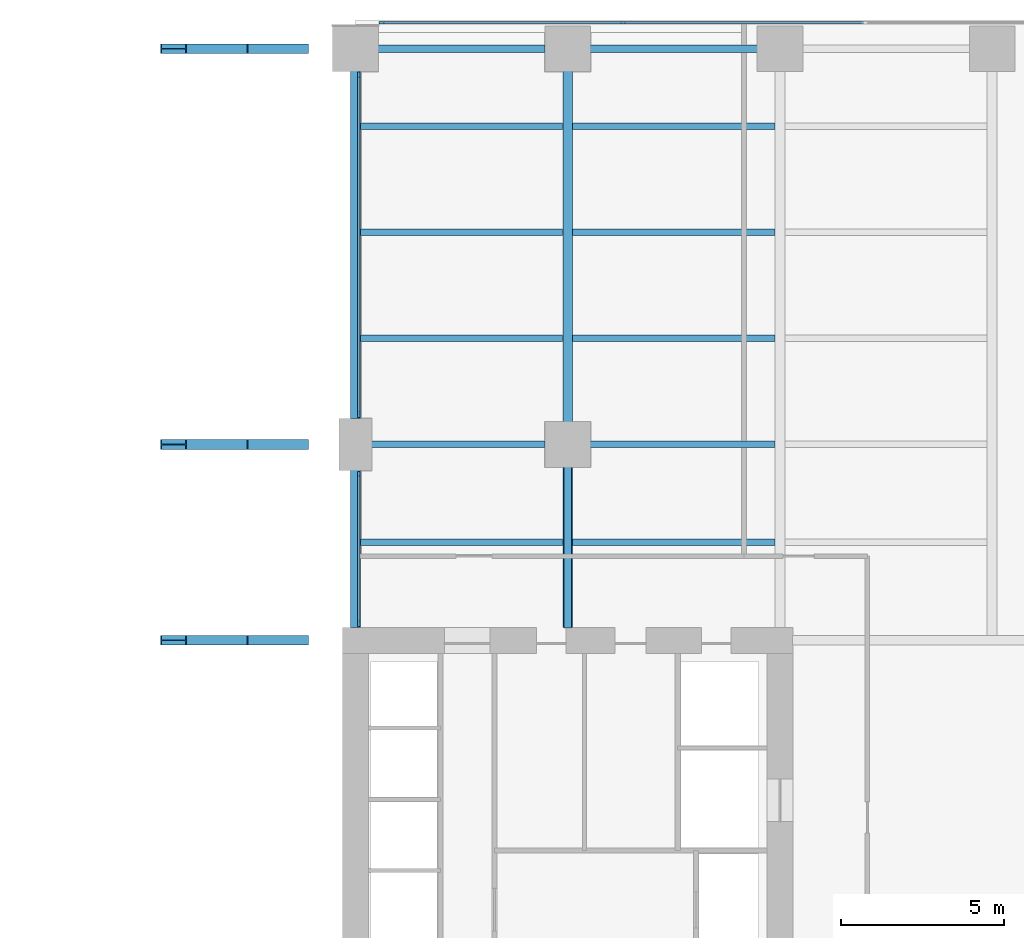
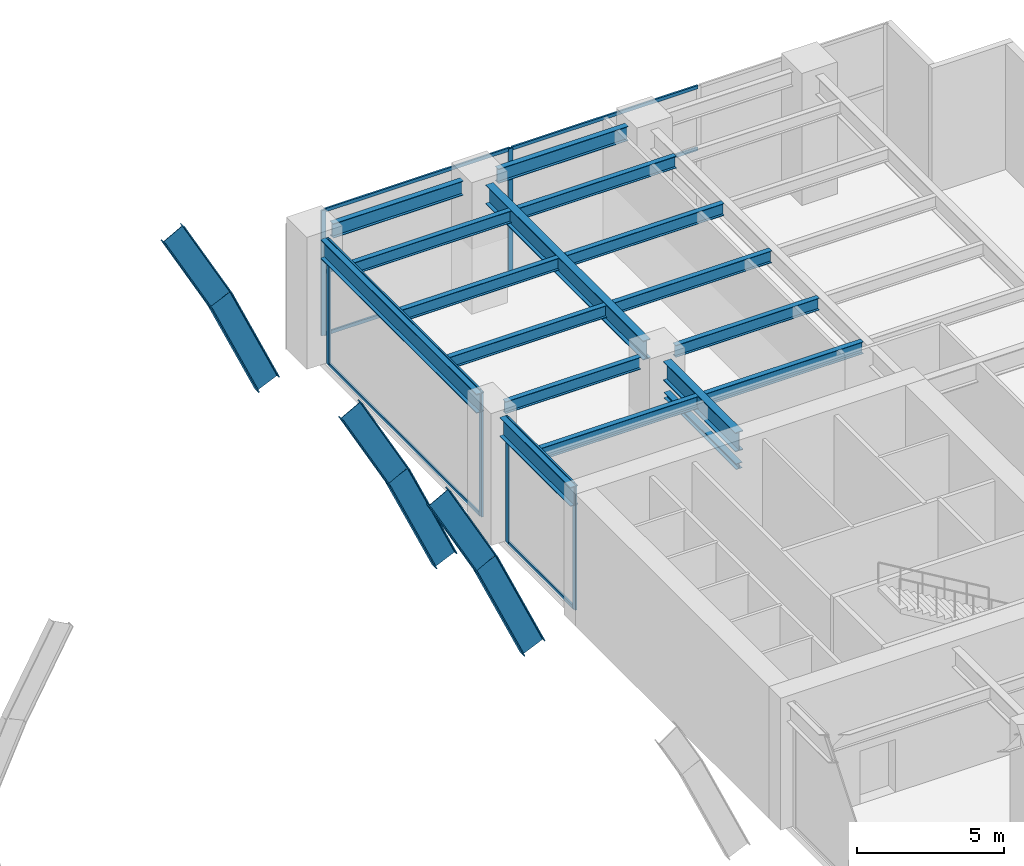
# One storey, part 6 of 17: 22 members, 17 beams, 3 elements without a shape of their own.
"""IFC4 building model written with IfcOpenShell, lengths in metres."""

from ifc_helpers import new_model, si_unit, direction, frame, origin, origin_2d, place, context, subcontext, project, spatial, rectangle, i_section, extrude, material, layer, layer_set, material_profile, profile_set, type_object, element, aggregate, save


model = new_model("IFC4")

# Units and contexts
model_context = context("Model", 3, precision=1e-05, world=origin(), true_north=direction((0.0, 1.0)))
body_context = subcontext(model_context, "Body", "Model", "MODEL_VIEW")
ifc_project = project(units=[si_unit("LENGTHUNIT", "METRE"), si_unit("AREAUNIT", "SQUARE_METRE"), si_unit("VOLUMEUNIT", "CUBIC_METRE"), si_unit("PLANEANGLEUNIT", "RADIAN"), si_unit("MASSUNIT", "GRAM", prefix="KILO")], contexts=[model_context])

# Site, building, storey
site_placement = place(None, origin())
site = spatial("IfcSite", under=ifc_project, at=site_placement, CompositionType="ELEMENT")
building_placement = place(site_placement, origin())
building = spatial("IfcBuilding", under=site, at=building_placement, Name="Putna Gate Headquarters", CompositionType="ELEMENT")
storey_placement = place(building_placement, frame((0.0, 0.0, 6.0)))
storey = spatial("IfcBuildingStorey", under=building, at=storey_placement, Name="L01", CompositionType="ELEMENT", Elevation=6.0)

# Beams
ifc_material_1 = material(Name="Steel S355J2", Category="steel")
ifc_material_profile_1 = material_profile(ifc_material_1, i_section(OverallWidth=0.300048828125, OverallDepth=0.800048828125, WebThickness=0.017578125, FlangeThickness=0.032958984375, at=origin_2d()), Name="Steel S355J2")
ifc_profile_set_1 = profile_set([ifc_material_profile_1], Name="Steel S355J2")
beam_type_1 = type_object("IfcBeamType", Name="BM-GIRD-P-HEB800", PredefinedType="USERDEFINED", material=ifc_profile_set_1)
beam_1_placement = place(storey_placement, frame((52.0, 33.385009765625, 4.820068359375), z_axis=(0.0, 1.0, 0.0), x_axis=(-1.0, 0.0, 0.0)))
element("IfcBeam", 1, at=beam_1_placement, inside=storey, type_object=beam_type_1, Name="L01 North Primary Girder X52-1", ObjectType="GIRDER", PredefinedType="USERDEFINED", context=body_context, shape_type="SweptSolid", body=[
    extrude(i_section(OverallWidth=0.300048828125, OverallDepth=0.800048828125, WebThickness=0.017578125, FlangeThickness=0.032958984375, at=origin_2d()), origin(), (0.0, 0.0, 1.0), 4.826904296875),
])
beam_2_placement = place(storey_placement, frame((52.0, 39.7880859375, 4.820068359375), z_axis=(0.0, 1.0, 0.0), x_axis=(-1.0, 0.0, 0.0)))
element("IfcBeam", 2, at=beam_2_placement, inside=storey, type_object=beam_type_1, Name="L01 North Primary Girder X52-2", ObjectType="GIRDER", PredefinedType="USERDEFINED", context=body_context, shape_type="SweptSolid", body=[
    extrude(i_section(OverallWidth=0.300048828125, OverallDepth=0.800048828125, WebThickness=0.017578125, FlangeThickness=0.032958984375, at=origin_2d()), origin(), (0.0, 0.0, 1.0), 10.643798828125),
])
beam_3_placement = place(storey_placement, frame((58.5, 33.385009765625, 4.820068359375), z_axis=(0.0, 1.0, 0.0), x_axis=(-1.0, 0.0, 0.0)))
element("IfcBeam", 3, at=beam_3_placement, inside=storey, type_object=beam_type_1, Name="L01 North Primary Girder X58-1", ObjectType="GIRDER", PredefinedType="USERDEFINED", context=body_context, shape_type="SweptSolid", body=[
    extrude(i_section(OverallWidth=0.300048828125, OverallDepth=0.800048828125, WebThickness=0.017578125, FlangeThickness=0.032958984375, at=origin_2d()), origin(), (0.0, 0.0, 1.0), 4.927001953125),
])
beam_4_placement = place(storey_placement, frame((58.5, 39.68798828125, 4.820068359375), z_axis=(0.0, 1.0, 0.0), x_axis=(-1.0, 0.0, 0.0)))
element("IfcBeam", 4, at=beam_4_placement, inside=storey, type_object=beam_type_1, Name="L01 North Primary Girder X58-2", ObjectType="GIRDER", PredefinedType="USERDEFINED", context=body_context, shape_type="SweptSolid", body=[
    extrude(i_section(OverallWidth=0.300048828125, OverallDepth=0.800048828125, WebThickness=0.017578125, FlangeThickness=0.032958984375, at=origin_2d()), origin(), (0.0, 0.0, 1.0), 10.743896484375),
])
ifc_material_profile_2 = material_profile(ifc_material_1, i_section(OverallWidth=0.239990234375, OverallDepth=0.239990234375, WebThickness=0.010009765625, FlangeThickness=0.01708984375, at=origin_2d()), Name="Steel S355J2")
ifc_profile_set_2 = profile_set([ifc_material_profile_2], Name="Steel S355J2")
beam_type_2 = type_object("IfcBeamType", Name="BM-LINTEL-HEB240", PredefinedType="LINTEL", material=ifc_profile_set_2)
beam_5_placement = place(storey_placement, frame((58.5, 33.3798828125, 3.800048828125), z_axis=(0.0, 1.0, 0.0), x_axis=(-1.0, 0.0, 0.0)))
element("IfcBeam", 5, at=beam_5_placement, inside=storey, type_object=beam_type_2, Name="L01 Core Spine Portal Header Lintel E", PredefinedType="LINTEL", context=body_context, shape_type="SweptSolid", body=[
    extrude(i_section(OverallWidth=0.239990234375, OverallDepth=0.239990234375, WebThickness=0.010009765625, FlangeThickness=0.01708984375, at=origin_2d()), origin(), (0.0, 0.0, 1.0), 4.940185546875),
])
ifc_material_profile_3 = material_profile(ifc_material_1, i_section(OverallWidth=0.199951171875, OverallDepth=0.5, WebThickness=0.01025390625, FlangeThickness=0.01611328125, at=origin_2d()), Name="Steel S355J2")
ifc_profile_set_3 = profile_set([ifc_material_profile_3], Name="Steel S355J2")
beam_type_3 = type_object("IfcBeamType", Name="BM-SEC-P-IPE500", PredefinedType="BEAM", material=ifc_profile_set_3)
beam_6_placement = place(storey_placement, frame((52.154052734375, 36.0, 4.969970703125), z_axis=(1.0, 0.0, 0.0), x_axis=(0.0, 1.0, 0.0)))
element("IfcBeam", 6, at=beam_6_placement, inside=storey, type_object=beam_type_3, Name="L01 North Secondary Beam 5", PredefinedType="BEAM", context=body_context, shape_type="SweptSolid", body=[
    extrude(i_section(OverallWidth=0.199951171875, OverallDepth=0.5, WebThickness=0.01025390625, FlangeThickness=0.01611328125, at=origin_2d()), origin(), (0.0, 0.0, 1.0), 6.19189453125),
])
beam_7_placement = place(storey_placement, frame((52.488037109375, 39.0, 4.969970703125), z_axis=(1.0, 0.0, 0.0), x_axis=(0.0, 1.0, 0.0)))
element("IfcBeam", 7, at=beam_7_placement, inside=storey, type_object=beam_type_3, Name="L01 North Secondary Beam 5", PredefinedType="BEAM", context=body_context, shape_type="SweptSolid", body=[
    extrude(i_section(OverallWidth=0.199951171875, OverallDepth=0.5, WebThickness=0.01025390625, FlangeThickness=0.01611328125, at=origin_2d()), origin(), (0.0, 0.0, 1.0), 5.323974609375),
])
for number, where, z_axis, x_axis, name in (
    (8, (52.154052734375, 42.25, 4.969970703125), (1.0, 0.0, 0.0), (0.0, 1.0, 0.0), "L01 North Secondary Beam 5"),
    (9, (52.154052734375, 45.5, 4.969970703125), (1.0, 0.0, 0.0), (0.0, 1.0, 0.0), "L01 North Secondary Beam 5"),
    (10, (52.154052734375, 48.75, 4.969970703125), (1.0, 0.0, 0.0), (0.0, 1.0, 0.0), "L01 North Secondary Beam 5"),
    (11, (58.654052734375, 36.0, 4.969970703125), (1.0, 0.0, 0.0), (0.0, 1.0, 0.0), "L01 North Secondary Beam 6"),
):
    element("IfcBeam", number, at=place(storey_placement, frame(where, z_axis=z_axis, x_axis=x_axis)), inside=storey, type_object=beam_type_3, Name=name, PredefinedType="BEAM", context=body_context, shape_type="SweptSolid", body=[
        extrude(i_section(OverallWidth=0.199951171875, OverallDepth=0.5, WebThickness=0.01025390625, FlangeThickness=0.01611328125, at=origin_2d()), origin(), (0.0, 0.0, 1.0), 6.19189453125),
    ])
beam_8_placement = place(storey_placement, frame((59.18798828125, 39.0, 4.969970703125), z_axis=(1.0, 0.0, 0.0), x_axis=(0.0, 1.0, 0.0)))
element("IfcBeam", 12, at=beam_8_placement, inside=storey, type_object=beam_type_3, Name="L01 North Secondary Beam 6", PredefinedType="BEAM", context=body_context, shape_type="SweptSolid", body=[
    extrude(i_section(OverallWidth=0.199951171875, OverallDepth=0.5, WebThickness=0.01025390625, FlangeThickness=0.01611328125, at=origin_2d()), origin(), (0.0, 0.0, 1.0), 5.657958984375),
])
for number, where, z_axis, x_axis, name in (
    (13, (58.654052734375, 42.25, 4.969970703125), (1.0, 0.0, 0.0), (0.0, 1.0, 0.0), "L01 North Secondary Beam 6"),
    (14, (58.654052734375, 45.5, 4.969970703125), (1.0, 0.0, 0.0), (0.0, 1.0, 0.0), "L01 North Secondary Beam 6"),
    (15, (58.654052734375, 48.75, 4.969970703125), (1.0, 0.0, 0.0), (0.0, 1.0, 0.0), "L01 North Secondary Beam 6"),
):
    element("IfcBeam", number, at=place(storey_placement, frame(where, z_axis=z_axis, x_axis=x_axis)), inside=storey, type_object=beam_type_3, Name=name, PredefinedType="BEAM", context=body_context, shape_type="SweptSolid", body=[
        extrude(i_section(OverallWidth=0.199951171875, OverallDepth=0.5, WebThickness=0.01025390625, FlangeThickness=0.01611328125, at=origin_2d()), origin(), (0.0, 0.0, 1.0), 6.19189453125),
    ])
ifc_material_profile_4 = material_profile(ifc_material_1, i_section(OverallWidth=0.219970703125, OverallDepth=0.60009765625, WebThickness=0.011962890625, FlangeThickness=0.01904296875, at=origin_2d()), Name="Steel S355J2")
ifc_profile_set_4 = profile_set([ifc_material_profile_4], Name="Steel S355J2")
beam_type_4 = type_object("IfcBeamType", Name="BM-SPAN-P-IPE600", PredefinedType="SPANDREL", material=ifc_profile_set_4)
for number, where, z_axis, x_axis, name in (
    (16, (52.68798828125, 51.1201171875, 4.919921875), (1.0, 0.0, 0.0), (0.0, 1.0, 0.0), "L01 N Perimeter Spandrel 5"),
    (17, (59.18798828125, 51.1201171875, 4.919921875), (1.0, 0.0, 0.0), (0.0, 1.0, 0.0), "L01 N Perimeter Spandrel 6"),
):
    element("IfcBeam", number, at=place(storey_placement, frame(where, z_axis=z_axis, x_axis=x_axis)), inside=storey, type_object=beam_type_4, Name=name, PredefinedType="SPANDREL", context=body_context, shape_type="SweptSolid", body=[
        extrude(i_section(OverallWidth=0.219970703125, OverallDepth=0.60009765625, WebThickness=0.011962890625, FlangeThickness=0.01904296875, at=origin_2d()), origin(), (0.0, 0.0, 1.0), 5.1240234375),
    ])

# Members
ifc_material_2 = material(Name="Steel S460M", Category="steel")
ifc_material_profile_5 = material_profile(ifc_material_2, i_section(OverallWidth=0.302001953125, OverallDepth=0.909912109375, WebThickness=0.02099609375, FlangeThickness=0.0400390625, at=origin_2d()), Name="Steel S460M")
ifc_profile_set_5 = profile_set([ifc_material_profile_5], Name="Steel S460M")
member_type_1 = type_object("IfcMemberType", Name="MEM-ARCH-CHORD-HEM900", PredefinedType="STRUT", material=ifc_profile_set_5)
member_1_placement = place(storey_placement, frame((46.4287109375, 51.1201171875, 6.94189453125), z_axis=(0.48154685796, 0.0, -0.876420346403), x_axis=(0.0, 1.0, 0.0)))
element("IfcMember", 18, at=member_1_placement, inside=storey, type_object=member_type_1, Name="Giant Parabolic Arch Chord N-12", PredefinedType="STRUT", context=body_context, shape_type="SweptSolid", body=[
    extrude(i_section(OverallWidth=0.302001953125, OverallDepth=0.909912109375, WebThickness=0.02099609375, FlangeThickness=0.0400390625, at=origin_2d()), origin(), (0.0, 0.0, 1.0), 3.856201171875),
])
member_2_placement = place(storey_placement, frame((48.28564453125, 51.1201171875, 3.562255859375), z_axis=(0.41007102507, 0.0, -0.912053591845), x_axis=(0.0, 1.0, 0.0)))
element("IfcMember", 19, at=member_2_placement, inside=storey, type_object=member_type_1, Name="Giant Parabolic Arch Chord N-13", PredefinedType="STRUT", context=body_context, shape_type="SweptSolid", body=[
    extrude(i_section(OverallWidth=0.302001953125, OverallDepth=0.909912109375, WebThickness=0.02099609375, FlangeThickness=0.0400390625, at=origin_2d()), origin(), (0.0, 0.0, 1.0), 4.52880859375),
])
ifc_material_profile_6 = material_profile(ifc_material_2, i_section(OverallWidth=0.302001953125, OverallDepth=0.909912109375, WebThickness=0.02099609375, FlangeThickness=0.0400390625, at=origin_2d()), Name="Steel S460M")
ifc_profile_set_6 = profile_set([ifc_material_profile_6], Name="Steel S460M")
member_type_2 = type_object("IfcMemberType", Name="MEM-ARCH-CHORD-INT-HEM900", PredefinedType="STRUT", material=ifc_profile_set_6)
member_3_placement = place(storey_placement, frame((46.4287109375, 33.0, 6.94189453125), z_axis=(0.48154685796, 0.0, -0.876420346403), x_axis=(0.0, 1.0, 0.0)))
element("IfcMember", 20, at=member_3_placement, inside=storey, type_object=member_type_2, Name="Giant Parabolic Arch Chord AN-12", PredefinedType="STRUT", context=body_context, shape_type="SweptSolid", body=[
    extrude(i_section(OverallWidth=0.302001953125, OverallDepth=0.909912109375, WebThickness=0.02099609375, FlangeThickness=0.0400390625, at=origin_2d()), origin(), (0.0, 0.0, 1.0), 3.856201171875),
])
member_4_placement = place(storey_placement, frame((48.28564453125, 33.0, 3.562255859375), z_axis=(0.41007102507, 0.0, -0.912053591845), x_axis=(0.0, 1.0, 0.0)))
element("IfcMember", 21, at=member_4_placement, inside=storey, type_object=member_type_2, Name="Giant Parabolic Arch Chord AN-13", PredefinedType="STRUT", context=body_context, shape_type="SweptSolid", body=[
    extrude(i_section(OverallWidth=0.302001953125, OverallDepth=0.909912109375, WebThickness=0.02099609375, FlangeThickness=0.0400390625, at=origin_2d()), origin(), (0.0, 0.0, 1.0), 4.52880859375),
])
member_5_placement = place(storey_placement, frame((46.4287109375, 39.0, 6.94189453125), z_axis=(0.48154685796, 0.0, -0.876420346403), x_axis=(0.0, 1.0, 0.0)))
element("IfcMember", 22, at=member_5_placement, inside=storey, type_object=member_type_2, Name="Giant Parabolic Arch Chord CN-12", PredefinedType="STRUT", context=body_context, shape_type="SweptSolid", body=[
    extrude(i_section(OverallWidth=0.302001953125, OverallDepth=0.909912109375, WebThickness=0.02099609375, FlangeThickness=0.0400390625, at=origin_2d()), origin(), (0.0, 0.0, 1.0), 3.856201171875),
])
member_6_placement = place(storey_placement, frame((48.28564453125, 39.0, 3.562255859375), z_axis=(0.41007102507, 0.0, -0.912053591845), x_axis=(0.0, 1.0, 0.0)))
element("IfcMember", 23, at=member_6_placement, inside=storey, type_object=member_type_2, Name="Giant Parabolic Arch Chord CN-13", PredefinedType="STRUT", context=body_context, shape_type="SweptSolid", body=[
    extrude(i_section(OverallWidth=0.302001953125, OverallDepth=0.909912109375, WebThickness=0.02099609375, FlangeThickness=0.0400390625, at=origin_2d()), origin(), (0.0, 0.0, 1.0), 4.52880859375),
])

# Curtain wall, members
ifc_material_3 = material(Name="Anodised bronze aluminium curtain wall", Category="aluminium")
ifc_layer_1 = layer(ifc_material_3, 0.179931640625)
ifc_layer_set_1 = layer_set([ifc_layer_1], Name="Anodised bronze aluminium curtain wall")
curtain_wall_type_1 = type_object("IfcCurtainWallType", Name="CW-SYS-ATR", PredefinedType="USERDEFINED", material=ifc_layer_set_1)
curtain_wall_1_placement = place(storey_placement, origin())
curtain_wall_1 = element("IfcCurtainWall", 24, at=curtain_wall_1_placement, inside=storey, type_object=curtain_wall_type_1, Name="L01 Arch Flank Glazing E-N1", ObjectType="ATRIUM GLAZING", PredefinedType="USERDEFINED")
ifc_material_4 = material(Name="Anodised bronze aluminium EN AW-6060", Category="aluminium")
ifc_material_profile_7 = material_profile(ifc_material_4, rectangle(XDim=0.070068359375, YDim=0.179931640625, at=origin_2d()), Name="Anodised bronze aluminium EN AW-6060")
ifc_profile_set_7 = profile_set([ifc_material_profile_7], Name="Anodised bronze aluminium EN AW-6060")
member_type_3 = type_object("IfcMemberType", Name="MULL-CWM-AT", PredefinedType="MULLION", material=ifc_profile_set_7)
member_7_placement = place(storey_placement, frame((52.10009765625, 33.514892578125, 0.0), z_axis=(0.0, 0.0, 1.0), x_axis=(-1.0, 0.0, 0.0)))
member_7 = element("IfcMember", 25, at=member_7_placement, type_object=member_type_3, Name="CWS-AT mullion 1", PredefinedType="MULLION", context=body_context, shape_type="SweptSolid", body=[
    extrude(rectangle(XDim=0.070068359375, YDim=0.179931640625, at=origin_2d()), origin(), (0.0, 0.0, 1.0), 5.219970703125),
])
member_8_placement = place(storey_placement, frame((52.10009765625, 38.0849609375, 0.0), z_axis=(0.0, 0.0, 1.0), x_axis=(-1.0, 0.0, 0.0)))
member_8 = element("IfcMember", 26, at=member_8_placement, type_object=member_type_3, Name="CWS-AT mullion 2", PredefinedType="MULLION", context=body_context, shape_type="SweptSolid", body=[
    extrude(rectangle(XDim=0.070068359375, YDim=0.179931640625, at=origin_2d()), origin(), (0.0, 0.0, 1.0), 5.219970703125),
])

curtain_wall_2_placement = place(storey_placement, origin())
curtain_wall_2 = element("IfcCurtainWall", 27, at=curtain_wall_2_placement, inside=storey, type_object=curtain_wall_type_1, Name="L01 Arch Flank Glazing E-N2", ObjectType="ATRIUM GLAZING", PredefinedType="USERDEFINED")
member_9_placement = place(storey_placement, frame((52.10009765625, 39.9150390625, 0.0), z_axis=(0.0, 0.0, 1.0), x_axis=(-1.0, 0.0, 0.0)))
member_9 = element("IfcMember", 28, at=member_9_placement, type_object=member_type_3, Name="CWS-AT mullion 1", PredefinedType="MULLION", context=body_context, shape_type="SweptSolid", body=[
    extrude(rectangle(XDim=0.070068359375, YDim=0.179931640625, at=origin_2d()), origin(), (0.0, 0.0, 1.0), 5.219970703125),
])
member_10_placement = place(storey_placement, frame((52.10009765625, 50.31494140625, 0.0), z_axis=(0.0, 0.0, 1.0), x_axis=(-1.0, 0.0, 0.0)))
member_10 = element("IfcMember", 29, at=member_10_placement, type_object=member_type_3, Name="CWS-AT mullion 2", PredefinedType="MULLION", context=body_context, shape_type="SweptSolid", body=[
    extrude(rectangle(XDim=0.070068359375, YDim=0.179931640625, at=origin_2d()), origin(), (0.0, 0.0, 1.0), 5.219970703125),
])

ifc_layer_2 = layer(ifc_material_3, 0.179931640625)
ifc_layer_set_2 = layer_set([ifc_layer_2], Name="Anodised bronze aluminium curtain wall")
curtain_wall_type_2 = type_object("IfcCurtainWallType", Name="CW-SYS-POD", PredefinedType="USERDEFINED", material=ifc_layer_set_2)
curtain_wall_3_placement = place(storey_placement, origin())
curtain_wall_3 = element("IfcCurtainWall", 30, at=curtain_wall_3_placement, inside=storey, type_object=curtain_wall_type_2, Name="L01 North East Curtain Wall", ObjectType="STICK CURTAIN WALL", PredefinedType="USERDEFINED")
ifc_material_profile_8 = material_profile(ifc_material_4, rectangle(XDim=0.070068359375, YDim=0.179931640625, at=origin_2d()), Name="Anodised bronze aluminium EN AW-6060")
ifc_profile_set_8 = profile_set([ifc_material_profile_8], Name="Anodised bronze aluminium EN AW-6060")
member_type_4 = type_object("IfcMemberType", Name="MULL-CWM-P", PredefinedType="MULLION", material=ifc_profile_set_8)
member_11_placement = place(storey_placement, frame((52.81494140625, 51.919921875, 0.0), z_axis=(0.0, 0.0, 1.0), x_axis=(0.0, 1.0, 0.0)))
member_11 = element("IfcMember", 31, at=member_11_placement, type_object=member_type_4, Name="CWS-P mullion 1", PredefinedType="MULLION", context=body_context, shape_type="SweptSolid", body=[
    extrude(rectangle(XDim=0.070068359375, YDim=0.179931640625, at=origin_2d()), origin(), (0.0, 0.0, 1.0), 5.219970703125),
])
member_12_placement = place(storey_placement, frame((60.186767578125, 51.919921875, 0.0), z_axis=(0.0, 0.0, 1.0), x_axis=(0.0, 1.0, 0.0)))
member_12 = element("IfcMember", 32, at=member_12_placement, type_object=member_type_4, Name="CWS-P mullion 2", PredefinedType="MULLION", context=body_context, shape_type="SweptSolid", body=[
    extrude(rectangle(XDim=0.070068359375, YDim=0.179931640625, at=origin_2d()), origin(), (0.0, 0.0, 1.0), 5.219970703125),
])

# Member
ifc_material_profile_9 = material_profile(ifc_material_4, rectangle(XDim=0.070068359375, YDim=0.139892578125, at=origin_2d()), Name="Anodised bronze aluminium EN AW-6060")
ifc_profile_set_9 = profile_set([ifc_material_profile_9], Name="Anodised bronze aluminium EN AW-6060")
member_type_5 = type_object("IfcMemberType", Name="TRAN-CWT-AT", PredefinedType="USERDEFINED", material=ifc_profile_set_9)
member_13_placement = place(storey_placement, frame((52.10009765625, 33.550048828125, 0.034912109375), z_axis=(0.0, 1.0, 0.0), x_axis=(-1.0, 0.0, 0.0)))
member_13 = element("IfcMember", 33, at=member_13_placement, type_object=member_type_5, Name="CWS-AT transom 1.1", ObjectType="TRANSOM", PredefinedType="USERDEFINED", context=body_context, shape_type="SweptSolid", body=[
    extrude(rectangle(XDim=0.070068359375, YDim=0.139892578125, at=origin_2d()), origin(), (0.0, 0.0, 1.0), 4.5),
])

member_14_placement = place(storey_placement, frame((52.10009765625, 33.550048828125, 5.18505859375), z_axis=(0.0, 1.0, 0.0), x_axis=(-1.0, 0.0, 0.0)))
member_14 = element("IfcMember", 34, at=member_14_placement, type_object=member_type_5, Name="CWS-AT transom 1.2", ObjectType="TRANSOM", PredefinedType="USERDEFINED", context=body_context, shape_type="SweptSolid", body=[
    extrude(rectangle(XDim=0.070068359375, YDim=0.139892578125, at=origin_2d()), origin(), (0.0, 0.0, 1.0), 4.5),
])

aggregate(curtain_wall_1, [member_7, member_8, member_13, member_14])

member_15_placement = place(storey_placement, frame((52.10009765625, 39.949951171875, 0.034912109375), z_axis=(0.0, 1.0, 0.0), x_axis=(-1.0, 0.0, 0.0)))
member_15 = element("IfcMember", 35, at=member_15_placement, type_object=member_type_5, Name="CWS-AT transom 1.1", ObjectType="TRANSOM", PredefinedType="USERDEFINED", context=body_context, shape_type="SweptSolid", body=[
    extrude(rectangle(XDim=0.070068359375, YDim=0.139892578125, at=origin_2d()), origin(), (0.0, 0.0, 1.0), 10.330078125),
])

member_16_placement = place(storey_placement, frame((52.10009765625, 39.949951171875, 5.18505859375), z_axis=(0.0, 1.0, 0.0), x_axis=(-1.0, 0.0, 0.0)))
member_16 = element("IfcMember", 36, at=member_16_placement, type_object=member_type_5, Name="CWS-AT transom 1.2", ObjectType="TRANSOM", PredefinedType="USERDEFINED", context=body_context, shape_type="SweptSolid", body=[
    extrude(rectangle(XDim=0.070068359375, YDim=0.139892578125, at=origin_2d()), origin(), (0.0, 0.0, 1.0), 10.330078125),
])

aggregate(curtain_wall_2, [member_9, member_10, member_15, member_16])

ifc_material_profile_10 = material_profile(ifc_material_4, rectangle(XDim=0.070068359375, YDim=0.139892578125, at=origin_2d()), Name="Anodised bronze aluminium EN AW-6060")
ifc_profile_set_10 = profile_set([ifc_material_profile_10], Name="Anodised bronze aluminium EN AW-6060")
member_type_6 = type_object("IfcMemberType", Name="TRAN-CWT-P", PredefinedType="USERDEFINED", material=ifc_profile_set_10)
member_17_placement = place(storey_placement, frame((52.85009765625, 51.919921875, 0.034912109375), z_axis=(1.0, 0.0, 0.0), x_axis=(0.0, 1.0, 0.0)))
member_17 = element("IfcMember", 37, at=member_17_placement, type_object=member_type_6, Name="CWS-P transom 1.1", ObjectType="TRANSOM", PredefinedType="USERDEFINED", context=body_context, shape_type="SweptSolid", body=[
    extrude(rectangle(XDim=0.070068359375, YDim=0.139892578125, at=origin_2d()), origin(), (0.0, 0.0, 1.0), 7.301513671875),
])

member_18_placement = place(storey_placement, frame((52.85009765625, 51.919921875, 2.610107421875), z_axis=(1.0, 0.0, 0.0), x_axis=(0.0, 1.0, 0.0)))
member_18 = element("IfcMember", 38, at=member_18_placement, type_object=member_type_6, Name="CWS-P transom 1.2", ObjectType="TRANSOM", PredefinedType="USERDEFINED", context=body_context, shape_type="SweptSolid", body=[
    extrude(rectangle(XDim=0.070068359375, YDim=0.139892578125, at=origin_2d()), origin(), (0.0, 0.0, 1.0), 7.301513671875),
])

member_19_placement = place(storey_placement, frame((52.85009765625, 51.919921875, 5.18505859375), z_axis=(1.0, 0.0, 0.0), x_axis=(0.0, 1.0, 0.0)))
member_19 = element("IfcMember", 39, at=member_19_placement, type_object=member_type_6, Name="CWS-P transom 1.3", ObjectType="TRANSOM", PredefinedType="USERDEFINED", context=body_context, shape_type="SweptSolid", body=[
    extrude(rectangle(XDim=0.070068359375, YDim=0.139892578125, at=origin_2d()), origin(), (0.0, 0.0, 1.0), 7.301513671875),
])

member_20_placement = place(storey_placement, frame((60.2216796875, 51.919921875, 0.034912109375), z_axis=(1.0, 0.0, 0.0), x_axis=(0.0, 1.0, 0.0)))
member_20 = element("IfcMember", 40, at=member_20_placement, type_object=member_type_6, Name="CWS-P transom 2.1", ObjectType="TRANSOM", PredefinedType="USERDEFINED", context=body_context, shape_type="SweptSolid", body=[
    extrude(rectangle(XDim=0.070068359375, YDim=0.139892578125, at=origin_2d()), origin(), (0.0, 0.0, 1.0), 7.336669921875),
])

member_21_placement = place(storey_placement, frame((60.2216796875, 51.919921875, 2.610107421875), z_axis=(1.0, 0.0, 0.0), x_axis=(0.0, 1.0, 0.0)))
member_21 = element("IfcMember", 41, at=member_21_placement, type_object=member_type_6, Name="CWS-P transom 2.2", ObjectType="TRANSOM", PredefinedType="USERDEFINED", context=body_context, shape_type="SweptSolid", body=[
    extrude(rectangle(XDim=0.070068359375, YDim=0.139892578125, at=origin_2d()), origin(), (0.0, 0.0, 1.0), 7.336669921875),
])

member_22_placement = place(storey_placement, frame((60.2216796875, 51.919921875, 5.18505859375), z_axis=(1.0, 0.0, 0.0), x_axis=(0.0, 1.0, 0.0)))
member_22 = element("IfcMember", 42, at=member_22_placement, type_object=member_type_6, Name="CWS-P transom 2.3", ObjectType="TRANSOM", PredefinedType="USERDEFINED", context=body_context, shape_type="SweptSolid", body=[
    extrude(rectangle(XDim=0.070068359375, YDim=0.139892578125, at=origin_2d()), origin(), (0.0, 0.0, 1.0), 7.336669921875),
])

aggregate(curtain_wall_3, [member_11, member_12, member_17, member_18, member_19, member_20, member_21, member_22])

save(model, "model.ifc")
